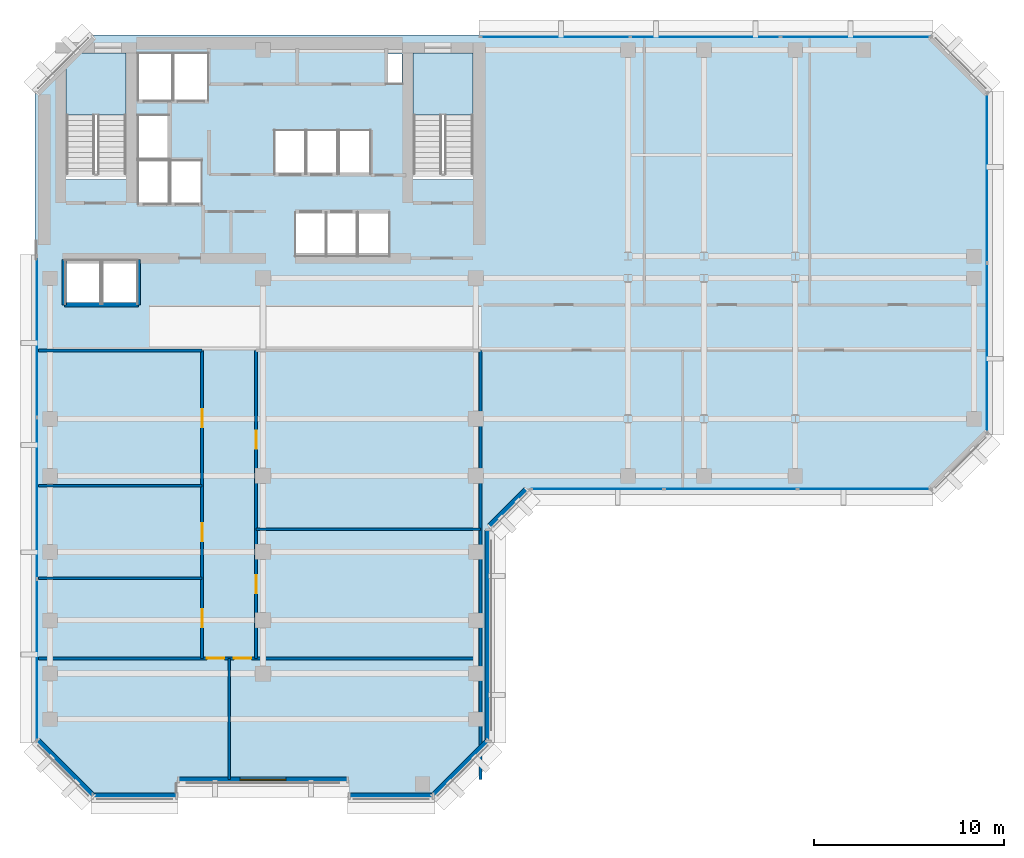
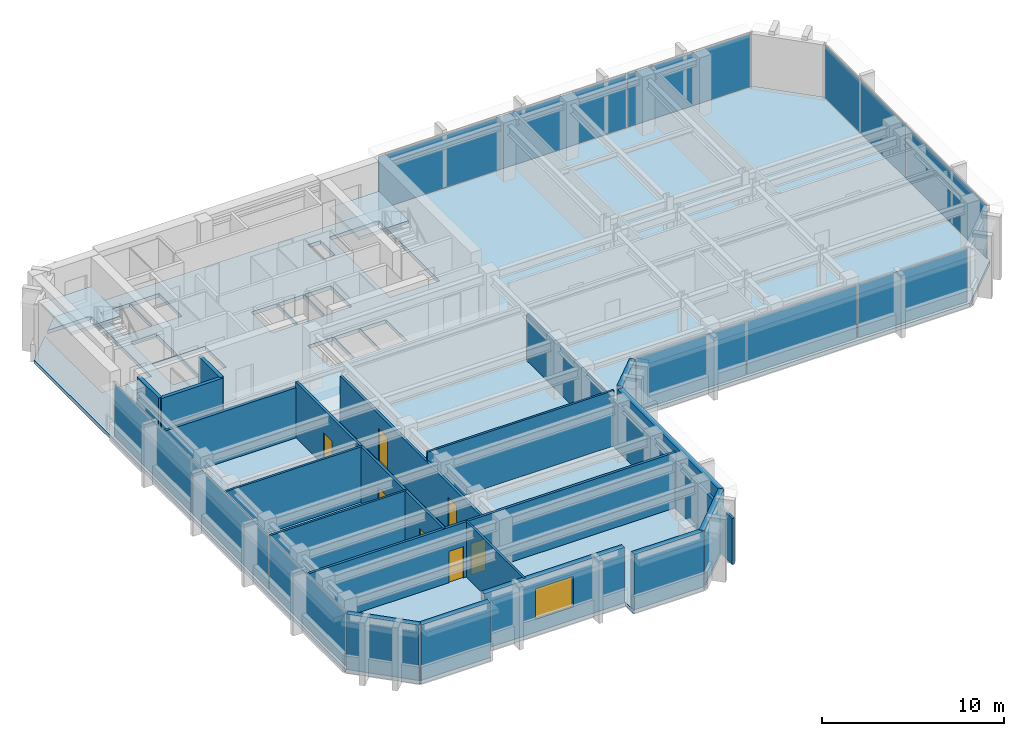
# One storey, part 6 of 12: 19 walls, 11 plates, 7 doors, 3 slabs, 1 window, 8 openings, 6 elements without a shape of their own.
"""IFC4 building model written with IfcOpenShell, lengths in metres."""

from ifc_helpers import new_model, si_unit, direction, frame, frame_2d, origin, origin_2d, place, context, subcontext, project, spatial, polyline, rectangle, outline, extrude, material, layer, layer_set, type_object, element, fill, aggregate, save


model = new_model("IFC4")

# Units and contexts
model_context = context("Model", 3, precision=1e-05, world=origin(), true_north=direction((0.0, 1.0)))
body_context = subcontext(model_context, "Body", "Model", "MODEL_VIEW")
ifc_project = project(units=[si_unit("LENGTHUNIT", "METRE"), si_unit("AREAUNIT", "SQUARE_METRE"), si_unit("VOLUMEUNIT", "CUBIC_METRE"), si_unit("PLANEANGLEUNIT", "RADIAN"), si_unit("MASSUNIT", "GRAM", prefix="KILO")], contexts=[model_context])

# Site, building, storey
site_placement = place(None, origin())
site = spatial("IfcSite", under=ifc_project, at=site_placement, CompositionType="ELEMENT")
building_placement = place(site_placement, origin())
building = spatial("IfcBuilding", under=site, at=building_placement, Name="Kefirva Bronze Tower", CompositionType="ELEMENT")
storey_placement = place(building_placement, frame((0.0, 0.0, 199.320068359375)))
storey = spatial("IfcBuildingStorey", under=building, at=storey_placement, Name="L48", CompositionType="ELEMENT", Elevation=199.320068359375)

# Stair, slab
ifc_material_1 = material(Name="Concrete C40/50", Category="concrete")
stair_type = type_object("IfcStairType", Name="RC Dogleg Protected Stair 24R", PredefinedType="HALF_TURN_STAIR", material=ifc_material_1)
stair_1_placement = place(storey_placement, origin())
stair_1 = element("IfcStair", 1, at=stair_1_placement, inside=storey, type_object=stair_type, Name="L48 Protected Exit Stair 1", PredefinedType="HALF_TURN_STAIR")
ifc_layer_1 = layer(ifc_material_1, 0.199951171875, Name="Concrete C40/50")
ifc_layer_set_1 = layer_set([ifc_layer_1], Name="Concrete C40/50")
slab_type_1 = type_object("IfcSlabType", Name="RC Stair Landing Slab 200mm", PredefinedType="LANDING", material=ifc_layer_set_1)
slab_1_placement = place(storey_placement, frame((0.0, 0.0, 1.780029296875)))
slab_1 = element("IfcSlab", 2, at=slab_1_placement, type_object=slab_type_1, Name="ST-1 landing 1", PredefinedType="LANDING", context=body_context, shape_type="SweptSolid", body=[
    extrude(outline(polyline([(4.800048828125, 41.780029296875), (4.800048828125, 45.050048828125), (1.64990234375, 45.050048828125), (1.64990234375, 41.780029296875), (4.800048828125, 41.780029296875)])), origin(), (0.0, 0.0, 1.0), 0.199951171875),
])
aggregate(stair_1, [slab_1])

stair_2_placement = place(storey_placement, origin())
stair_2 = element("IfcStair", 3, at=stair_2_placement, inside=storey, type_object=stair_type, Name="L48 Protected Exit Stair 2", PredefinedType="HALF_TURN_STAIR")
slab_2_placement = place(storey_placement, frame((0.0, 0.0, 1.780029296875)))
slab_2 = element("IfcSlab", 4, at=slab_2_placement, type_object=slab_type_1, Name="ST-2 landing 1", PredefinedType="LANDING", context=body_context, shape_type="SweptSolid", body=[
    extrude(outline(polyline([(23.050048828125, 41.780029296875), (23.050048828125, 45.050048828125), (19.89990234375, 45.050048828125), (19.89990234375, 41.780029296875), (23.050048828125, 41.780029296875)])), origin(), (0.0, 0.0, 1.0), 0.199951171875),
])
aggregate(stair_2, [slab_2])

# Slab
ifc_layer_2 = layer(ifc_material_1, 0.25, Name="Concrete C40/50")
ifc_layer_set_2 = layer_set([ifc_layer_2], Name="Concrete C40/50")
slab_type_2 = type_object("IfcSlabType", Name="RC Tower Floor Slab 250mm", PredefinedType="FLOOR", material=ifc_layer_set_2)
slab_3_placement = place(storey_placement, frame((0.0, 0.0, -0.25)))
element("IfcSlab", 5, at=slab_3_placement, inside=storey, type_object=slab_type_2, Name="L48 Structural Floor Slab", PredefinedType="FLOOR", context=body_context, shape_type="SweptSolid", body=[
    extrude(outline(polyline([(0.0, 8.800048828125), (0.0, 43.0), (1.64990234375, 44.64990234375), (1.64990234375, 38.39990234375), (4.800048828125, 38.39990234375), (4.800048828125, 45.050048828125), (2.050048828125, 45.050048828125), (3.0, 46.0), (47.199951171875, 46.0), (50.199951171875, 43.0), (50.199951171875, 25.0), (47.199951171875, 22.0), (26.0, 22.0), (24.0, 20.0), (24.0, 8.800048828125), (21.0, 5.800048828125), (16.5, 5.800048828125), (16.5, 6.64990234375), (7.5, 6.64990234375), (7.5, 5.800048828125), (3.0, 5.800048828125), (0.0, 8.800048828125)]), holes=[polyline([(23.050048828125, 38.39990234375), (23.050048828125, 45.050048828125), (19.89990234375, 45.050048828125), (19.89990234375, 38.39990234375), (23.050048828125, 38.39990234375)]), polyline([(19.320068359375, 43.419921875), (19.320068359375, 45.0), (18.52001953125, 45.0), (18.52001953125, 43.419921875), (19.320068359375, 43.419921875)]), polyline([(18.64990234375, 34.35009765625), (18.64990234375, 36.64990234375), (17.0, 36.64990234375), (17.0, 34.35009765625), (18.64990234375, 34.35009765625)]), polyline([(17.64990234375, 38.679931640625), (17.64990234375, 40.97998046875), (16.0, 40.97998046875), (16.0, 38.679931640625), (17.64990234375, 38.679931640625)]), polyline([(16.949951171875, 34.35009765625), (16.949951171875, 36.64990234375), (15.35009765625, 36.64990234375), (15.35009765625, 34.35009765625), (16.949951171875, 34.35009765625)]), polyline([(15.929931640625, 38.679931640625), (15.929931640625, 40.97998046875), (14.300048828125, 40.97998046875), (14.300048828125, 38.679931640625), (15.929931640625, 38.679931640625)]), polyline([(15.300048828125, 34.35009765625), (15.300048828125, 36.64990234375), (13.699951171875, 36.64990234375), (13.699951171875, 34.35009765625), (15.300048828125, 34.35009765625)]), polyline([(14.22998046875, 38.679931640625), (14.22998046875, 40.97998046875), (12.60009765625, 40.97998046875), (12.60009765625, 38.679931640625), (14.22998046875, 38.679931640625)]), polyline([(9.1201171875, 42.550048828125), (9.1201171875, 45.050048828125), (7.300048828125, 45.050048828125), (7.300048828125, 42.550048828125), (9.1201171875, 42.550048828125)]), polyline([(8.780029296875, 37.10009765625), (8.780029296875, 39.39990234375), (7.139892578125, 39.39990234375), (7.139892578125, 37.10009765625), (8.780029296875, 37.10009765625)]), polyline([(7.239990234375, 42.550048828125), (7.239990234375, 45.050048828125), (5.419921875, 45.050048828125), (5.419921875, 42.550048828125), (7.239990234375, 42.550048828125)]), polyline([(7.06005859375, 37.10009765625), (7.06005859375, 39.39990234375), (5.419921875, 39.39990234375), (5.419921875, 37.10009765625), (7.06005859375, 37.10009765625)]), polyline([(7.06005859375, 39.47998046875), (7.06005859375, 41.780029296875), (5.419921875, 41.780029296875), (5.419921875, 39.47998046875), (7.06005859375, 39.47998046875)]), polyline([(5.39990234375, 31.85009765625), (5.39990234375, 34.14990234375), (3.550048828125, 34.14990234375), (3.550048828125, 31.85009765625), (5.39990234375, 31.85009765625)]), polyline([(3.449951171875, 31.85009765625), (3.449951171875, 34.14990234375), (1.60009765625, 34.14990234375), (1.60009765625, 31.85009765625), (3.449951171875, 31.85009765625)])]), origin(), (0.0, 0.0, 1.0), 0.25),
])

# Curtain wall, plates
ifc_material_2 = material(Name="Bronze anodised aluminium", Category="aluminium")
ifc_layer_3 = layer(ifc_material_2, 0.179931640625, Name="Bronze anodised aluminium")
ifc_layer_set_3 = layer_set([ifc_layer_3], Name="Bronze anodised aluminium")
curtain_wall_type = type_object("IfcCurtainWallType", Name="Unitised Bronze Ribbon Curtain Wall Zone 3", PredefinedType="USERDEFINED", material=ifc_layer_set_3)
curtain_wall_1_placement = place(storey_placement, origin())
curtain_wall_1 = element("IfcCurtainWall", 6, at=curtain_wall_1_placement, inside=storey, type_object=curtain_wall_type, Name="L48 Curtain Wall 1", ObjectType="UNITISED CURTAIN WALL", PredefinedType="USERDEFINED")
ifc_material_3 = material(Name="Laminated low-E double glazing", Category="glass")
ifc_layer_4 = layer(ifc_material_3, 0.031982421875, Name="Laminated low-E double glazing")
ifc_layer_set_4 = layer_set([ifc_layer_4], Name="Laminated low-E double glazing")
plate_type = type_object("IfcPlateType", Name="Solar-Control Low-E Vision Panel 32mm", PredefinedType="CURTAIN_PANEL", material=ifc_layer_set_4)
plate_1_placement = place(storey_placement, frame((29.5888671875, 22.1201171875, 0.074951171875), z_axis=(0.0, 0.0, 1.0), x_axis=(1.0, 0.0, 0.0)))
plate_1 = element("IfcPlate", 7, at=plate_1_placement, type_object=plate_type, Name="CW-03 panel 1.1", PredefinedType="CURTAIN_PANEL", context=body_context, shape_type="SweptSolid", body=[
    extrude(rectangle(XDim=6.91748046875, YDim=0.031982421875, at=origin_2d()), origin(), (0.0, 0.0, 1.0), 3.56005859375),
])
plate_2_placement = place(storey_placement, frame((36.60009765625, 22.1201171875, 0.074951171875), z_axis=(0.0, 0.0, 1.0), x_axis=(1.0, 0.0, 0.0)))
plate_2 = element("IfcPlate", 8, at=plate_2_placement, type_object=plate_type, Name="CW-03 panel 2.1", PredefinedType="CURTAIN_PANEL", context=body_context, shape_type="SweptSolid", body=[
    extrude(rectangle(XDim=6.955078125, YDim=0.031982421875, at=origin_2d()), origin(), (0.0, 0.0, 1.0), 3.56005859375),
])
plate_3_placement = place(storey_placement, frame((43.611328125, 22.1201171875, 0.074951171875), z_axis=(0.0, 0.0, 1.0), x_axis=(1.0, 0.0, 0.0)))
plate_3 = element("IfcPlate", 9, at=plate_3_placement, type_object=plate_type, Name="CW-03 panel 3.1", PredefinedType="CURTAIN_PANEL", context=body_context, shape_type="SweptSolid", body=[
    extrude(rectangle(XDim=6.91748046875, YDim=0.031982421875, at=origin_2d()), origin(), (0.0, 0.0, 1.0), 3.56005859375),
])
aggregate(curtain_wall_1, [plate_1, plate_2, plate_3])

curtain_wall_2_placement = place(storey_placement, origin())
curtain_wall_2 = element("IfcCurtainWall", 10, at=curtain_wall_2_placement, inside=storey, type_object=curtain_wall_type, Name="L48 Curtain Wall 2", ObjectType="UNITISED CURTAIN WALL", PredefinedType="USERDEFINED")
plate_4_placement = place(storey_placement, frame((50.080078125, 29.546142578125, 0.074951171875), z_axis=(0.0, 0.0, 1.0), x_axis=(0.0, 1.0, 0.0)))
plate_4 = element("IfcPlate", 11, at=plate_4_placement, type_object=plate_type, Name="CW-03 panel 1.1", PredefinedType="CURTAIN_PANEL", context=body_context, shape_type="SweptSolid", body=[
    extrude(rectangle(XDim=8.83251953125, YDim=0.031982421875, at=origin_2d()), origin(), (0.0, 0.0, 1.0), 3.56005859375),
])
plate_5_placement = place(storey_placement, frame((50.080078125, 38.453857421875, 0.074951171875), z_axis=(0.0, 0.0, 1.0), x_axis=(0.0, 1.0, 0.0)))
plate_5 = element("IfcPlate", 12, at=plate_5_placement, type_object=plate_type, Name="CW-03 panel 2.1", PredefinedType="CURTAIN_PANEL", context=body_context, shape_type="SweptSolid", body=[
    extrude(rectangle(XDim=8.83251953125, YDim=0.031982421875, at=origin_2d()), origin(), (0.0, 0.0, 1.0), 3.56005859375),
])
aggregate(curtain_wall_2, [plate_4, plate_5])

curtain_wall_3_placement = place(storey_placement, origin())
curtain_wall_3 = element("IfcCurtainWall", 13, at=curtain_wall_3_placement, inside=storey, type_object=curtain_wall_type, Name="L48 Curtain Wall 3", ObjectType="UNITISED CURTAIN WALL", PredefinedType="USERDEFINED")
plate_6_placement = place(storey_placement, frame((43.169677734375, 45.8798828125, 0.074951171875), z_axis=(0.0, 0.0, 1.0), x_axis=(-1.0, 0.0, 0.0)))
plate_6 = element("IfcPlate", 14, at=plate_6_placement, type_object=plate_type, Name="CW-03 panel 1.1", PredefinedType="CURTAIN_PANEL", context=body_context, shape_type="SweptSolid", body=[
    extrude(rectangle(XDim=7.80078125, YDim=0.031982421875, at=origin_2d()), origin(), (0.0, 0.0, 1.0), 3.56005859375),
])
plate_7_placement = place(storey_placement, frame((35.27490234375, 45.8798828125, 0.074951171875), z_axis=(0.0, 0.0, 1.0), x_axis=(-1.0, 0.0, 0.0)))
plate_7 = element("IfcPlate", 15, at=plate_7_placement, type_object=plate_type, Name="CW-03 panel 2.1", PredefinedType="CURTAIN_PANEL", context=body_context, shape_type="SweptSolid", body=[
    extrude(rectangle(XDim=7.83837890625, YDim=0.031982421875, at=origin_2d()), origin(), (0.0, 0.0, 1.0), 3.56005859375),
])
plate_8_placement = place(storey_placement, frame((27.38037109375, 45.8798828125, 0.074951171875), z_axis=(0.0, 0.0, 1.0), x_axis=(-1.0, 0.0, 0.0)))
plate_8 = element("IfcPlate", 16, at=plate_8_placement, type_object=plate_type, Name="CW-03 panel 3.1", PredefinedType="CURTAIN_PANEL", context=body_context, shape_type="SweptSolid", body=[
    extrude(rectangle(XDim=7.80078125, YDim=0.031982421875, at=origin_2d()), origin(), (0.0, 0.0, 1.0), 3.56005859375),
])
aggregate(curtain_wall_3, [plate_6, plate_7, plate_8])

curtain_wall_4_placement = place(storey_placement, origin())
curtain_wall_4 = element("IfcCurtainWall", 17, at=curtain_wall_4_placement, inside=storey, type_object=curtain_wall_type, Name="L48 Curtain Wall 4", ObjectType="UNITISED CURTAIN WALL", PredefinedType="USERDEFINED")
plate_9_placement = place(storey_placement, frame((0.1201171875, 30.11962890625, 0.074951171875), z_axis=(0.0, 0.0, 1.0), x_axis=(0.0, -1.0, 0.0)))
plate_9 = element("IfcPlate", 18, at=plate_9_placement, type_object=plate_type, Name="CW-03 panel 1.1", PredefinedType="CURTAIN_PANEL", context=body_context, shape_type="SweptSolid", body=[
    extrude(rectangle(XDim=8.40087890625, YDim=0.031982421875, at=origin_2d()), origin(), (0.0, 0.0, 1.0), 3.56005859375),
])
plate_10_placement = place(storey_placement, frame((0.1201171875, 21.625, 0.074951171875), z_axis=(0.0, 0.0, 1.0), x_axis=(0.0, -1.0, 0.0)))
plate_10 = element("IfcPlate", 19, at=plate_10_placement, type_object=plate_type, Name="CW-03 panel 2.1", PredefinedType="CURTAIN_PANEL", context=body_context, shape_type="SweptSolid", body=[
    extrude(rectangle(XDim=8.438232421875, YDim=0.031982421875, at=origin_2d()), origin(), (0.0, 0.0, 1.0), 3.56005859375),
])
plate_11_placement = place(storey_placement, frame((0.1201171875, 13.13037109375, 0.074951171875), z_axis=(0.0, 0.0, 1.0), x_axis=(0.0, -1.0, 0.0)))
plate_11 = element("IfcPlate", 20, at=plate_11_placement, type_object=plate_type, Name="CW-03 panel 3.1", PredefinedType="CURTAIN_PANEL", context=body_context, shape_type="SweptSolid", body=[
    extrude(rectangle(XDim=8.40087890625, YDim=0.031982421875, at=origin_2d()), origin(), (0.0, 0.0, 1.0), 3.56005859375),
])
aggregate(curtain_wall_4, [plate_9, plate_10, plate_11])

# Walls
ifc_material_4 = material(Name="Gypsum acoustic partition")
ifc_layer_5 = layer(ifc_material_4, 0.1298828125, Name="Gypsum acoustic partition")
ifc_layer_set_5 = layer_set([ifc_layer_5], Name="Gypsum acoustic partition")
wall_type_1 = type_object("IfcWallType", Name="Acoustic Office Partition 130mm", PredefinedType="PARTITIONING", material=ifc_layer_set_5)
wall_1_placement = place(storey_placement, frame((10.219970703125, 6.840087890625, 0.0), z_axis=(0.0, 0.0, 1.0), x_axis=(0.0, 1.0, 0.0)))
element("IfcWall", 21, at=wall_1_placement, inside=storey, type_object=wall_type_1, Name="L48 Partition W-L48-CAPDV", PredefinedType="PARTITIONING", context=body_context, shape_type="SweptSolid", body=[
    extrude(rectangle(XDim=6.35986328125, YDim=0.1298828125, at=frame_2d((3.179931640625, 0.0))), origin(), (0.0, 0.0, 1.0), 3.7099609375),
])
for number, where, z_axis, x_axis, name in (
    (22, (0.18994140625, 17.412109375, 0.0), (0.0, 0.0, 1.0), (1.0, 0.0, 0.0), "L48 Partition W-L48-SWD1"),
    (23, (0.18994140625, 22.27197265625, 0.0), (0.0, 0.0, 1.0), (1.0, 0.0, 0.0), "L48 Partition W-L48-SWD2"),
):
    element("IfcWall", number, at=place(storey_placement, frame(where, z_axis=z_axis, x_axis=x_axis)), inside=storey, type_object=wall_type_1, Name=name, PredefinedType="PARTITIONING", context=body_context, shape_type="SweptSolid", body=[
        extrude(rectangle(XDim=8.610107421875, YDim=0.1298828125, at=frame_2d((4.30517578125, 0.0))), origin(), (0.0, 0.0, 1.0), 3.7099609375),
    ])
wall_2_placement = place(storey_placement, frame((11.639892578125, 20.00390625, 0.0), z_axis=(0.0, 0.0, 1.0), x_axis=(1.0, 0.0, 0.0)))
element("IfcWall", 24, at=wall_2_placement, inside=storey, type_object=wall_type_1, Name="L48 Partition W-L48-SED1", PredefinedType="PARTITIONING", context=body_context, shape_type="SweptSolid", body=[
    extrude(rectangle(XDim=11.81005859375, YDim=0.1298828125, at=frame_2d((5.905029296875, 0.0))), origin(), (0.0, 0.0, 1.0), 3.7099609375),
])
ifc_material_5 = material(Name="Gypsum fireboard shaftwall")
ifc_layer_6 = layer(ifc_material_5, 0.219970703125, Name="Gypsum fireboard shaftwall")
ifc_layer_set_6 = layer_set([ifc_layer_6], Name="Gypsum fireboard shaftwall")
wall_type_2 = type_object("IfcWallType", Name="Fire-Rated Shaft Enclosure Wall 220mm", PredefinedType="PARTITIONING", material=ifc_layer_set_6)
wall_3_placement = place(storey_placement, frame((1.550048828125, 31.800048828125, 0.0), z_axis=(0.0, 0.0, 1.0), x_axis=(1.0, 0.0, 0.0)))
element("IfcWall", 25, at=wall_3_placement, inside=storey, type_object=wall_type_2, Name="L48 Partition W-L48-OBS", PredefinedType="PARTITIONING", context=body_context, shape_type="SweptSolid", body=[
    extrude(rectangle(XDim=3.89990234375, YDim=0.219970703125, at=frame_2d((1.949951171875, 0.0))), origin(), (0.0, 0.0, 1.0), 3.7099609375),
])
for number, where, z_axis, x_axis, name in (
    (26, (1.550048828125, 31.800048828125, 0.0), (0.0, 0.0, 1.0), (0.0, 1.0, 0.0), "L48 Partition W-L48-OBW"),
    (27, (5.449951171875, 31.800048828125, 0.0), (0.0, 0.0, 1.0), (0.0, 1.0, 0.0), "L48 Partition W-L48-OBE"),
):
    element("IfcWall", number, at=place(storey_placement, frame(where, z_axis=z_axis, x_axis=x_axis)), inside=storey, type_object=wall_type_2, Name=name, PredefinedType="PARTITIONING", context=body_context, shape_type="SweptSolid", body=[
        extrude(rectangle(XDim=2.3798828125, YDim=0.219970703125, at=frame_2d((1.18994140625, 0.0))), origin(), (0.0, 0.0, 1.0), 3.7099609375),
    ])
ifc_material_6 = material(Name="Precast concrete C40/50", Category="concrete")
ifc_layer_7 = layer(ifc_material_6, 0.320068359375, Name="Precast concrete C40/50")
ifc_layer_set_7 = layer_set([ifc_layer_7], Name="Precast concrete C40/50")
wall_type_3 = type_object("IfcWallType", Name="Precast Insulated Exterior Wall 320mm", PredefinedType="SOLIDWALL", material=ifc_layer_set_7)
wall_4_placement = place(storey_placement, frame((3.054931640625, 5.9599609375, 0.0), z_axis=(0.0, 0.0, 1.0), x_axis=(1.0, 0.0, 0.0)))
element("IfcWall", 28, at=wall_4_placement, inside=storey, type_object=wall_type_3, Name="L48 Exterior Facade Wall 1", PredefinedType="SOLIDWALL", context=body_context, shape_type="SweptSolid", body=[
    extrude(rectangle(XDim=4.39013671875, YDim=0.320068359375, at=frame_2d((2.195068359375, 0.0))), origin(), (0.0, 0.0, 1.0), 3.7099609375),
])

# Wall, opening, window
wall_5_placement = place(storey_placement, frame((7.554931640625, 6.81005859375, 0.0), z_axis=(0.0, 0.0, 1.0), x_axis=(1.0, 0.0, 0.0)))
wall_5 = element("IfcWall", 29, at=wall_5_placement, inside=storey, type_object=wall_type_3, Name="L48 Exterior Facade Wall 2", PredefinedType="SOLIDWALL", context=body_context, shape_type="SweptSolid", body=[
    extrude(rectangle(XDim=8.89013671875, YDim=0.320068359375, at=frame_2d((4.445068359375, 0.0))), origin(), (0.0, 0.0, 1.0), 3.7099609375),
])
opening_1_placement = place(wall_5_placement, frame((3.2451171875, 0.0, 0.85009765625)))
opening_1 = element("IfcOpeningElement", 30, at=opening_1_placement, cuts=wall_5, Name="Opening WN-01", PredefinedType="OPENING", context=body_context, shape_type="SweptSolid", body=[
    extrude(rectangle(XDim=2.39990234375, YDim=2.050048828125, at=frame_2d((1.199951171875, 1.02490234375))), frame((0.0, 0.169921875, 0.0), z_axis=(0.0, -1.0, 0.0), x_axis=(1.0, 0.0, 0.0)), (0.0, 0.0, 1.0), 0.340087890625),
])
window_type = type_object("IfcWindowType", Name="Streamline Ribbon Window 2400x2050", PartitioningType="SINGLE_PANEL", PredefinedType="WINDOW", material=ifc_material_3)
window_placement = place(opening_1_placement, origin())
window = element("IfcWindow", 31, at=window_placement, inside=storey, type_object=window_type, Name="L48 Ribbon Window 2", OverallHeight=2.050048828125, OverallWidth=2.39990234375, PartitioningType="SINGLE_PANEL", PredefinedType="WINDOW", context=body_context, shape_type="SweptSolid", body=[
    extrude(rectangle(XDim=2.39990234375, YDim=2.050048828125, at=frame_2d((1.199951171875, 1.02490234375))), frame((0.0, 0.030029296875, 0.0), z_axis=(0.0, -1.0, 0.0), x_axis=(1.0, 0.0, 0.0)), (0.0, 0.0, 1.0), 0.06005859375),
])
fill(opening_1, window)

# Walls
wall_6_placement = place(storey_placement, frame((16.554931640625, 5.9599609375, 0.0), z_axis=(0.0, 0.0, 1.0), x_axis=(1.0, 0.0, 0.0)))
element("IfcWall", 32, at=wall_6_placement, inside=storey, type_object=wall_type_3, Name="L48 Exterior Facade Wall 3", PredefinedType="SOLIDWALL", context=body_context, shape_type="SweptSolid", body=[
    extrude(rectangle(XDim=4.39013671875, YDim=0.320068359375, at=frame_2d((2.195068359375, 0.0))), origin(), (0.0, 0.0, 1.0), 3.7099609375),
])
wall_7_placement = place(storey_placement, frame((20.92578125, 5.951904296875, 0.0), z_axis=(0.0, 0.0, 1.0), x_axis=(0.707077242712, 0.707136318428, 0.0)))
element("IfcWall", 33, at=wall_7_placement, inside=storey, type_object=wall_type_3, Name="L48 Exterior Facade Wall 4", PredefinedType="SOLIDWALL", context=body_context, shape_type="SweptSolid", body=[
    extrude(rectangle(XDim=4.132568359375, YDim=0.320068359375, at=frame_2d((2.06640625, 0.0))), origin(), (0.0, 0.0, 1.0), 3.7099609375),
])
wall_8_placement = place(storey_placement, frame((23.840087890625, 8.85498046875, 0.0), z_axis=(0.0, 0.0, 1.0), x_axis=(0.0, 1.0, 0.0)))
element("IfcWall", 34, at=wall_8_placement, inside=storey, type_object=wall_type_3, Name="L48 Exterior Facade Wall 5", PredefinedType="SOLIDWALL", context=body_context, shape_type="SweptSolid", body=[
    extrude(rectangle(XDim=11.090087890625, YDim=0.320068359375, at=frame_2d((5.544921875, 0.0))), origin(), (0.0, 0.0, 1.0), 3.7099609375),
])
wall_9_placement = place(storey_placement, frame((23.92578125, 20.152099609375, 0.0), z_axis=(0.0, 0.0, 1.0), x_axis=(0.707106781187, 0.707106781187, 0.0)))
element("IfcWall", 35, at=wall_9_placement, inside=storey, type_object=wall_type_3, Name="L48 Exterior Facade Wall 6", PredefinedType="SOLIDWALL", context=body_context, shape_type="SweptSolid", body=[
    extrude(rectangle(XDim=2.71826171875, YDim=0.320068359375, at=frame_2d((1.359130859375, 0.0))), origin(), (0.0, 0.0, 1.0), 3.7099609375),
])
wall_10_placement = place(storey_placement, frame((0.152099609375, 8.874267578125, 0.0), z_axis=(0.0, 0.0, 1.0), x_axis=(0.707077242712, -0.707136318428, 0.0)))
element("IfcWall", 36, at=wall_10_placement, inside=storey, type_object=wall_type_3, Name="L48 Exterior Facade Wall 10", PredefinedType="SOLIDWALL", context=body_context, shape_type="SweptSolid", body=[
    extrude(rectangle(XDim=4.132568359375, YDim=0.320068359375, at=frame_2d((2.06640625, 0.0))), origin(), (0.0, 0.0, 1.0), 3.7099609375),
])

# Wall, openings, doors
ifc_layer_8 = layer(ifc_material_4, 0.159912109375, Name="Gypsum acoustic partition")
ifc_layer_set_8 = layer_set([ifc_layer_8], Name="Gypsum acoustic partition")
wall_type_4 = type_object("IfcWallType", Name="Protected Corridor Partition 160mm", PredefinedType="PARTITIONING", material=ifc_layer_set_8)
wall_11_placement = place(storey_placement, frame((8.800048828125, 13.199951171875, 0.0), z_axis=(0.0, 0.0, 1.0), x_axis=(0.0, 1.0, 0.0)))
wall_11 = element("IfcWall", 37, at=wall_11_placement, inside=storey, type_object=wall_type_4, Name="L48 Partition W-L48-SWCORW", PredefinedType="PARTITIONING", context=body_context, shape_type="SweptSolid", body=[
    extrude(rectangle(XDim=16.199951171875, YDim=0.159912109375, at=frame_2d((8.10009765625, 0.0))), origin(), (0.0, 0.0, 1.0), 3.7099609375),
])
opening_2_placement = place(wall_11_placement, frame((2.5810546875, 0.0, 0.0), z_axis=(0.0, 0.0, 1.0), x_axis=(-1.0, 0.0, 0.0)))
opening_2 = element("IfcOpeningElement", 38, at=opening_2_placement, cuts=wall_11, Name="Opening L48-D-SW1", PredefinedType="OPENING", context=body_context, shape_type="SweptSolid", body=[
    extrude(rectangle(XDim=0.949951171875, YDim=2.14990234375, at=frame_2d((0.47509765625, 1.074951171875))), frame((0.0, 0.08984375, 0.0), z_axis=(0.0, -1.0, 0.0), x_axis=(1.0, 0.0, 0.0)), (0.0, 0.0, 1.0), 0.179931640625),
])
opening_3_placement = place(wall_11_placement, frame((7.116943359375, 0.0, 0.0), z_axis=(0.0, 0.0, 1.0), x_axis=(-1.0, 0.0, 0.0)))
opening_3 = element("IfcOpeningElement", 39, at=opening_3_placement, cuts=wall_11, Name="Opening L48-D-SW2", PredefinedType="OPENING", context=body_context, shape_type="SweptSolid", body=[
    extrude(rectangle(XDim=0.949951171875, YDim=2.14990234375, at=frame_2d((0.47509765625, 1.074951171875))), frame((0.0, 0.08984375, 0.0), z_axis=(0.0, -1.0, 0.0), x_axis=(1.0, 0.0, 0.0)), (0.0, 0.0, 1.0), 0.179931640625),
])
opening_4_placement = place(wall_11_placement, frame((13.11083984375, 0.0, 0.0), z_axis=(0.0, 0.0, 1.0), x_axis=(-1.0, 0.0, 0.0)))
opening_4 = element("IfcOpeningElement", 40, at=opening_4_placement, cuts=wall_11, Name="Opening L48-D-SW3", PredefinedType="OPENING", context=body_context, shape_type="SweptSolid", body=[
    extrude(rectangle(XDim=0.949951171875, YDim=2.14990234375, at=frame_2d((0.47509765625, 1.074951171875))), frame((0.0, 0.08984375, 0.0), z_axis=(0.0, -1.0, 0.0), x_axis=(1.0, 0.0, 0.0)), (0.0, 0.0, 1.0), 0.179931640625),
])
ifc_material_7 = material(Name="Acoustic hardwood oak", Category="wood")
door_type_1 = type_object("IfcDoorType", Name="Office & Meeting Room Door 950x2150", OperationType="NOTDEFINED", PredefinedType="DOOR", material=ifc_material_7)
door_1_placement = place(opening_2_placement, origin())
door_1 = element("IfcDoor", 41, at=door_1_placement, inside=storey, type_object=door_type_1, Name="Door L48-D-SW1", OperationType="SINGLE_SWING_RIGHT", OverallHeight=2.14990234375, OverallWidth=0.949951171875, PredefinedType="DOOR", context=body_context, shape_type="SweptSolid", body=[
    extrude(rectangle(XDim=0.949951171875, YDim=2.14990234375, at=frame_2d((0.47509765625, 1.074951171875))), frame((0.0, 0.02490234375, 0.0), z_axis=(0.0, -1.0, 0.0), x_axis=(1.0, 0.0, 0.0)), (0.0, 0.0, 1.0), 0.050048828125),
])
fill(opening_2, door_1)
door_2_placement = place(opening_3_placement, origin())
door_2 = element("IfcDoor", 42, at=door_2_placement, inside=storey, type_object=door_type_1, Name="Door L48-D-SW2", OperationType="SINGLE_SWING_LEFT", OverallHeight=2.14990234375, OverallWidth=0.949951171875, PredefinedType="DOOR", context=body_context, shape_type="SweptSolid", body=[
    extrude(rectangle(XDim=0.949951171875, YDim=2.14990234375, at=frame_2d((0.47509765625, 1.074951171875))), frame((0.0, 0.02490234375, 0.0), z_axis=(0.0, -1.0, 0.0), x_axis=(1.0, 0.0, 0.0)), (0.0, 0.0, 1.0), 0.050048828125),
])
fill(opening_3, door_2)
door_3_placement = place(opening_4_placement, origin())
door_3 = element("IfcDoor", 43, at=door_3_placement, inside=storey, type_object=door_type_1, Name="Door L48-D-SW3", OperationType="SINGLE_SWING_RIGHT", OverallHeight=2.14990234375, OverallWidth=0.949951171875, PredefinedType="DOOR", context=body_context, shape_type="SweptSolid", body=[
    extrude(rectangle(XDim=0.949951171875, YDim=2.14990234375, at=frame_2d((0.47509765625, 1.074951171875))), frame((0.0, 0.02490234375, 0.0), z_axis=(0.0, -1.0, 0.0), x_axis=(1.0, 0.0, 0.0)), (0.0, 0.0, 1.0), 0.050048828125),
])
fill(opening_4, door_3)

wall_12_placement = place(storey_placement, frame((11.639892578125, 13.199951171875, 0.0), z_axis=(0.0, 0.0, 1.0), x_axis=(0.0, 1.0, 0.0)))
wall_12 = element("IfcWall", 44, at=wall_12_placement, inside=storey, type_object=wall_type_4, Name="L48 Partition W-L48-SECORE", PredefinedType="PARTITIONING", context=body_context, shape_type="SweptSolid", body=[
    extrude(rectangle(XDim=16.199951171875, YDim=0.159912109375, at=frame_2d((8.10009765625, 0.0))), origin(), (0.0, 0.0, 1.0), 3.094970703125),
])
opening_5_placement = place(wall_12_placement, frame((3.427001953125, 0.0, 0.0)))
opening_5 = element("IfcOpeningElement", 45, at=opening_5_placement, cuts=wall_12, Name="Opening L48-D-SE1", PredefinedType="OPENING", context=body_context, shape_type="SweptSolid", body=[
    extrude(rectangle(XDim=0.949951171875, YDim=2.14990234375, at=frame_2d((0.47509765625, 1.074951171875))), frame((0.0, 0.08984375, 0.0), z_axis=(0.0, -1.0, 0.0), x_axis=(1.0, 0.0, 0.0)), (0.0, 0.0, 1.0), 0.179931640625),
])
opening_6_placement = place(wall_12_placement, frame((11.027099609375, 0.0, 0.0)))
opening_6 = element("IfcOpeningElement", 46, at=opening_6_placement, cuts=wall_12, Name="Opening L48-D-SE2", PredefinedType="OPENING", context=body_context, shape_type="SweptSolid", body=[
    extrude(rectangle(XDim=0.949951171875, YDim=2.14990234375, at=frame_2d((0.47509765625, 1.074951171875))), frame((0.0, 0.08984375, 0.0), z_axis=(0.0, -1.0, 0.0), x_axis=(1.0, 0.0, 0.0)), (0.0, 0.0, 1.0), 0.179931640625),
])
door_4_placement = place(opening_5_placement, origin())
door_4 = element("IfcDoor", 47, at=door_4_placement, inside=storey, type_object=door_type_1, Name="Door L48-D-SE1", OperationType="SINGLE_SWING_LEFT", OverallHeight=2.14990234375, OverallWidth=0.949951171875, PredefinedType="DOOR", context=body_context, shape_type="SweptSolid", body=[
    extrude(rectangle(XDim=0.949951171875, YDim=2.14990234375, at=frame_2d((0.47509765625, 1.074951171875))), frame((0.0, 0.02490234375, 0.0), z_axis=(0.0, -1.0, 0.0), x_axis=(1.0, 0.0, 0.0)), (0.0, 0.0, 1.0), 0.050048828125),
])
fill(opening_5, door_4)
door_5_placement = place(opening_6_placement, origin())
door_5 = element("IfcDoor", 48, at=door_5_placement, inside=storey, type_object=door_type_1, Name="Door L48-D-SE2", OperationType="SINGLE_SWING_RIGHT", OverallHeight=2.14990234375, OverallWidth=0.949951171875, PredefinedType="DOOR", context=body_context, shape_type="SweptSolid", body=[
    extrude(rectangle(XDim=0.949951171875, YDim=2.14990234375, at=frame_2d((0.47509765625, 1.074951171875))), frame((0.0, 0.02490234375, 0.0), z_axis=(0.0, -1.0, 0.0), x_axis=(1.0, 0.0, 0.0)), (0.0, 0.0, 1.0), 0.050048828125),
])
fill(opening_6, door_5)

wall_13_placement = place(storey_placement, frame((0.18994140625, 13.199951171875, 0.0), z_axis=(0.0, 0.0, 1.0), x_axis=(1.0, 0.0, 0.0)))
wall_13 = element("IfcWall", 49, at=wall_13_placement, inside=storey, type_object=wall_type_4, Name="L48 Partition W-L48-SBEND", PredefinedType="PARTITIONING", context=body_context, shape_type="SweptSolid", body=[
    extrude(rectangle(XDim=23.260009765625, YDim=0.159912109375, at=frame_2d((11.6298828125, 0.0))), origin(), (0.0, 0.0, 1.0), 3.7099609375),
])
opening_7_placement = place(wall_13_placement, frame((8.860107421875, 0.0, 0.0)))
opening_7 = element("IfcOpeningElement", 50, at=opening_7_placement, cuts=wall_13, Name="Opening L48-D-SEND1", PredefinedType="OPENING", context=body_context, shape_type="SweptSolid", body=[
    extrude(rectangle(XDim=0.919921875, YDim=2.10009765625, at=frame_2d((0.4599609375, 1.050048828125))), frame((0.0, 0.08984375, 0.0), z_axis=(0.0, -1.0, 0.0), x_axis=(1.0, 0.0, 0.0)), (0.0, 0.0, 1.0), 0.179931640625),
])
opening_8_placement = place(wall_13_placement, frame((10.280029296875, 0.0, 0.0)))
opening_8 = element("IfcOpeningElement", 51, at=opening_8_placement, cuts=wall_13, Name="Opening L48-D-SEND2", PredefinedType="OPENING", context=body_context, shape_type="SweptSolid", body=[
    extrude(rectangle(XDim=0.919921875, YDim=2.10009765625, at=frame_2d((0.4599609375, 1.050048828125))), frame((0.0, 0.08984375, 0.0), z_axis=(0.0, -1.0, 0.0), x_axis=(1.0, 0.0, 0.0)), (0.0, 0.0, 1.0), 0.179931640625),
])
ifc_material_8 = material(Name="Moisture-resistant timber", Category="wood")
door_type_2 = type_object("IfcDoorType", Name="Accessible Sanitary & WC Door 920x2100", OperationType="NOTDEFINED", PredefinedType="DOOR", material=ifc_material_8)
door_6_placement = place(opening_7_placement, origin())
door_6 = element("IfcDoor", 52, at=door_6_placement, inside=storey, type_object=door_type_2, Name="Door L48-D-SEND1", OperationType="SINGLE_SWING_RIGHT", OverallHeight=2.10009765625, OverallWidth=0.919921875, PredefinedType="DOOR", context=body_context, shape_type="SweptSolid", body=[
    extrude(rectangle(XDim=0.919921875, YDim=2.10009765625, at=frame_2d((0.4599609375, 1.050048828125))), frame((0.0, 0.02490234375, 0.0), z_axis=(0.0, -1.0, 0.0), x_axis=(1.0, 0.0, 0.0)), (0.0, 0.0, 1.0), 0.050048828125),
])
fill(opening_7, door_6)
door_7_placement = place(opening_8_placement, origin())
door_7 = element("IfcDoor", 53, at=door_7_placement, inside=storey, type_object=door_type_2, Name="Door L48-D-SEND2", OperationType="SINGLE_SWING_LEFT", OverallHeight=2.10009765625, OverallWidth=0.919921875, PredefinedType="DOOR", context=body_context, shape_type="SweptSolid", body=[
    extrude(rectangle(XDim=0.919921875, YDim=2.10009765625, at=frame_2d((0.4599609375, 1.050048828125))), frame((0.0, 0.02490234375, 0.0), z_axis=(0.0, -1.0, 0.0), x_axis=(1.0, 0.0, 0.0)), (0.0, 0.0, 1.0), 0.050048828125),
])
fill(opening_8, door_7)

# Walls
wall_14_placement = place(storey_placement, frame((0.18994140625, 29.39990234375, 0.0), z_axis=(0.0, 0.0, 1.0), x_axis=(1.0, 0.0, 0.0)))
element("IfcWall", 54, at=wall_14_placement, inside=storey, type_object=wall_type_4, Name="L48 Partition W-L48-NWT", PredefinedType="PARTITIONING", context=body_context, shape_type="SweptSolid", body=[
    extrude(rectangle(XDim=8.610107421875, YDim=0.159912109375, at=frame_2d((4.30517578125, 0.0))), origin(), (0.0, 0.0, 1.0), 3.364990234375),
])
wall_15_placement = place(storey_placement, frame((23.449951171875, 6.840087890625, 0.0), z_axis=(0.0, 0.0, 1.0), x_axis=(0.0, 1.0, 0.0)))
element("IfcWall", 55, at=wall_15_placement, inside=storey, type_object=wall_type_4, Name="L48 Partition W-L48-SWEAST", PredefinedType="PARTITIONING", context=body_context, shape_type="SweptSolid", body=[
    extrude(rectangle(XDim=22.559814453125, YDim=0.159912109375, at=frame_2d((11.27978515625, 0.0))), origin(), (0.0, 0.0, 1.0), 3.094970703125),
])

save(model, "model.ifc")
